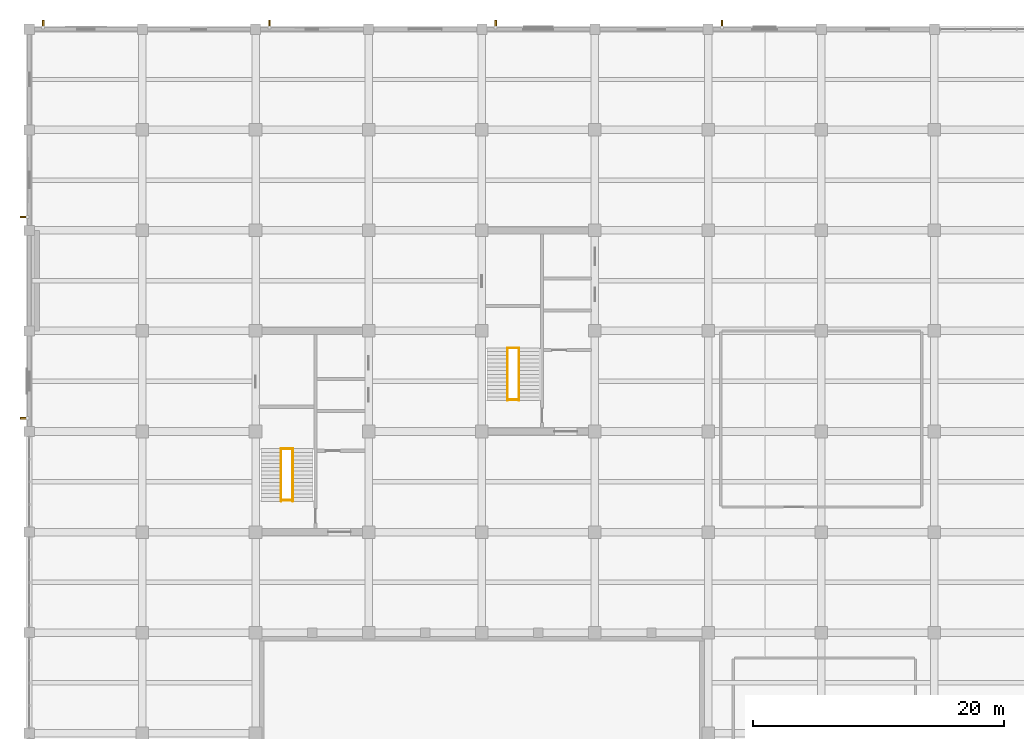
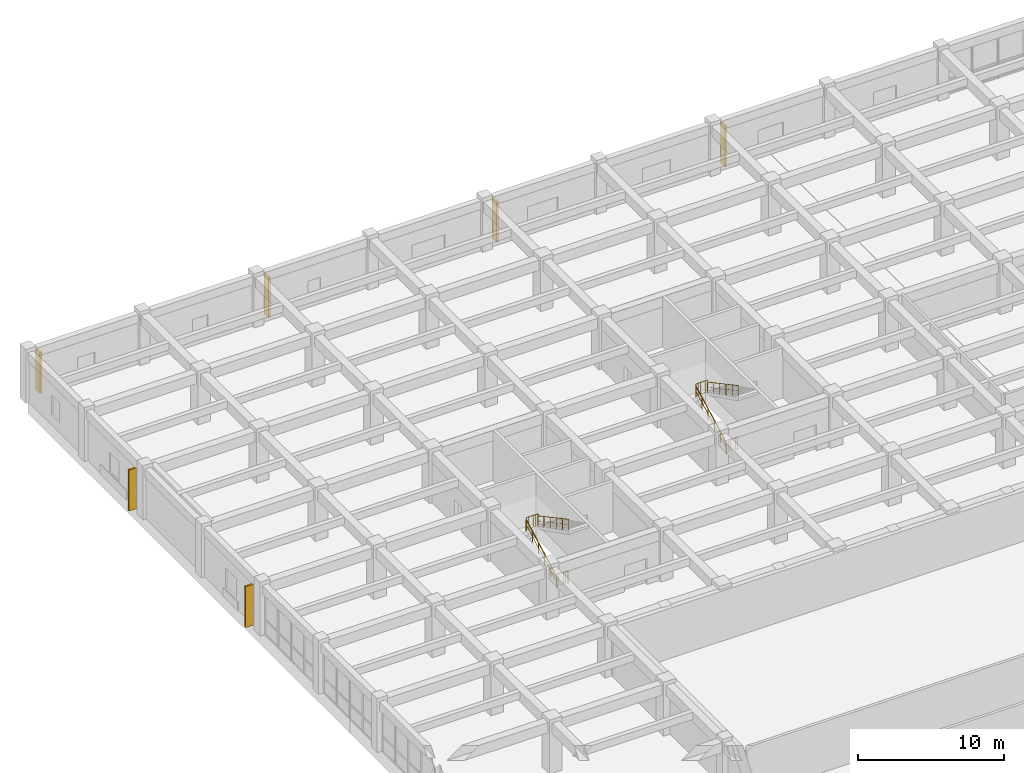
# One storey, part 46 of 50: 8 railings, 6 shading devices.
"""IFC4 building model written with IfcOpenShell, lengths in metres."""

from ifc_helpers import new_model, si_unit, direction, frame, frame_2d, origin, origin_2d, place, context, subcontext, project, spatial, rectangle, circle, extrude, material, layer, layer_set, type_object, element, save


model = new_model("IFC4")

# Units and contexts
model_context = context("Model", 3, precision=1e-05, world=origin(), true_north=direction((0.0, 1.0)))
body_context = subcontext(model_context, "Body", "Model", "MODEL_VIEW")
ifc_project = project(units=[si_unit("LENGTHUNIT", "METRE"), si_unit("AREAUNIT", "SQUARE_METRE"), si_unit("VOLUMEUNIT", "CUBIC_METRE"), si_unit("PLANEANGLEUNIT", "RADIAN"), si_unit("MASSUNIT", "GRAM", prefix="KILO")], contexts=[model_context])

# Site, building, storey
site_placement = place(None, origin())
site = spatial("IfcSite", under=ifc_project, at=site_placement, CompositionType="ELEMENT")
building_placement = place(site_placement, origin())
building = spatial("IfcBuilding", under=site, at=building_placement, Name="Zaverband Oceanarium and Marine Research Institute", CompositionType="ELEMENT")
storey_placement = place(building_placement, frame((0.0, 0.0, 4.5)))
storey = spatial("IfcBuildingStorey", under=building, at=storey_placement, Name="L01", CompositionType="ELEMENT", Elevation=4.5)

# Railings
ifc_material_1 = material(Name="Steel S355", Category="steel")
ifc_layer_1 = layer(ifc_material_1, 0.06005859375, Name="Steel S355")
ifc_layer_set_1 = layer_set([ifc_layer_1], Name="Steel S355")
railing_type_1 = type_object("IfcRailingType", Name="GRD-1100", PredefinedType="BALUSTRADE", material=ifc_layer_set_1)
for number, where, name in (
    (1, (20.0400390625, 86.6298828125, 2.25), "1100 mm steel post-and-baluster safety guard GRD-1100"),
    (2, (20.0400390625, 82.530029296875, 0.0), "1100 mm steel post-and-baluster safety guard GRD-1100"),
    (3, (38.0400390625, 94.6298828125, 2.25), "1100 mm steel post-and-baluster safety guard GRD-1100"),
    (4, (38.0400390625, 90.530029296875, 0.0), "1100 mm steel post-and-baluster safety guard GRD-1100"),
):
    element("IfcRailing", number, at=place(storey_placement, frame(where)), inside=storey, type_object=railing_type_1, Name=name, PredefinedType="BALUSTRADE", context=body_context, shape_type="SweptSolid", body=[
        extrude(circle(Radius=0.02392578125, at=origin_2d()), frame((0.0, 0.0, 1.076171875), z_axis=(1.0, 0.0, 0.0), x_axis=(0.0, 1.0, 0.0)), (0.0, 0.0, 1.0), 0.919921875),
        extrude(circle(Radius=0.009033203125, at=origin_2d()), frame((0.0, 0.0, 0.10009765625), z_axis=(1.0, 0.0, 0.0), x_axis=(0.0, 1.0, 0.0)), (0.0, 0.0, 1.0), 0.919921875),
        extrude(circle(Radius=0.009033203125, at=origin_2d()), frame((0.18408203125, 0.0, 0.10009765625)), (0.0, 0.0, 1.0), 0.951904296875),
        extrude(circle(Radius=0.009033203125, at=origin_2d()), frame((0.367919921875, 0.0, 0.10009765625)), (0.0, 0.0, 1.0), 0.951904296875),
        extrude(circle(Radius=0.009033203125, at=origin_2d()), frame((0.552001953125, 0.0, 0.10009765625)), (0.0, 0.0, 1.0), 0.951904296875),
        extrude(circle(Radius=0.009033203125, at=origin_2d()), frame((0.73583984375, 0.0, 0.10009765625)), (0.0, 0.0, 1.0), 0.951904296875),
        extrude(circle(Radius=0.02099609375, at=origin_2d()), origin(), (0.0, 0.0, 1.0), 1.052001953125),
        extrude(circle(Radius=0.02099609375, at=origin_2d()), frame((0.919921875, 0.0, 0.0)), (0.0, 0.0, 1.0), 1.052001953125),
    ])
ifc_layer_2 = layer(ifc_material_1, 0.050048828125, Name="Steel S355")
ifc_layer_set_2 = layer_set([ifc_layer_2], Name="Steel S355")
railing_type_2 = type_object("IfcRailingType", Name="HR-920", PredefinedType="HANDRAIL", material=ifc_layer_set_2)
railing_1_placement = place(storey_placement, frame((20.0400390625, 82.449951171875, 0.0)))
element("IfcRailing", 5, at=railing_1_placement, inside=storey, type_object=railing_type_2, Name="920 mm continuous tubular stair and ramp handrail HR-920", PredefinedType="HANDRAIL", context=body_context, shape_type="SweptSolid", body=[
    extrude(circle(Radius=0.02392578125, at=origin_2d()), frame((0.0, 0.0, 0.89599609375), z_axis=(0.0, 0.881477684796, 0.472225678258), x_axis=(-1.0, 0.0, 0.0)), (0.0, 0.0, 1.0), 4.7646484375),
    extrude(circle(Radius=0.009033203125, at=origin_2d()), frame((0.0, 0.0, 0.4599609375), z_axis=(0.0, 0.881477684796, 0.472225678258), x_axis=(-1.0, 0.0, 0.0)), (0.0, 0.0, 1.0), 4.7646484375),
    extrude(circle(Radius=0.02099609375, at=origin_2d()), origin(), (0.0, 0.0, 1.0), 0.871826171875),
    extrude(circle(Radius=0.02099609375, at=origin_2d()), frame((0.0, 0.840087890625, 0.449951171875)), (0.0, 0.0, 1.0), 0.871826171875),
    extrude(circle(Radius=0.02099609375, at=origin_2d()), frame((0.0, 1.679931640625, 0.89990234375)), (0.0, 0.0, 1.0), 0.871826171875),
    extrude(circle(Radius=0.02099609375, at=origin_2d()), frame((0.0, 2.52001953125, 1.35009765625)), (0.0, 0.0, 1.0), 0.871826171875),
    extrude(circle(Radius=0.02099609375, at=origin_2d()), frame((0.0, 3.35986328125, 1.800048828125)), (0.0, 0.0, 1.0), 0.871826171875),
    extrude(circle(Radius=0.02099609375, at=origin_2d()), frame((0.0, 4.199951171875, 2.25)), (0.0, 0.0, 1.0), 0.871826171875),
])
railing_2_placement = place(storey_placement, frame((20.9599609375, 86.64990234375, 2.25)))
element("IfcRailing", 6, at=railing_2_placement, inside=storey, type_object=railing_type_2, Name="920 mm continuous tubular stair and ramp handrail HR-920", PredefinedType="HANDRAIL", context=body_context, shape_type="SweptSolid", body=[
    extrude(circle(Radius=0.02392578125, at=origin_2d()), frame((0.0, 0.0, 0.89599609375), z_axis=(0.0, -0.881477684796, 0.472225678258), x_axis=(1.0, 0.0, 0.0)), (0.0, 0.0, 1.0), 4.7646484375),
    extrude(circle(Radius=0.009033203125, at=origin_2d()), frame((0.0, 0.0, 0.4599609375), z_axis=(0.0, -0.881477684796, 0.472225678258), x_axis=(1.0, 0.0, 0.0)), (0.0, 0.0, 1.0), 4.7646484375),
    extrude(circle(Radius=0.02099609375, at=origin_2d()), origin(), (0.0, 0.0, 1.0), 0.871826171875),
    extrude(circle(Radius=0.02099609375, at=origin_2d()), frame((0.0, -0.840087890625, 0.449951171875)), (0.0, 0.0, 1.0), 0.871826171875),
    extrude(circle(Radius=0.02099609375, at=origin_2d()), frame((0.0, -1.679931640625, 0.89990234375)), (0.0, 0.0, 1.0), 0.871826171875),
    extrude(circle(Radius=0.02099609375, at=origin_2d()), frame((0.0, -2.52001953125, 1.35009765625)), (0.0, 0.0, 1.0), 0.871826171875),
    extrude(circle(Radius=0.02099609375, at=origin_2d()), frame((0.0, -3.35986328125, 1.800048828125)), (0.0, 0.0, 1.0), 0.871826171875),
    extrude(circle(Radius=0.02099609375, at=origin_2d()), frame((0.0, -4.199951171875, 2.25)), (0.0, 0.0, 1.0), 0.871826171875),
])
railing_3_placement = place(storey_placement, frame((38.0400390625, 90.449951171875, 0.0)))
element("IfcRailing", 7, at=railing_3_placement, inside=storey, type_object=railing_type_2, Name="920 mm continuous tubular stair and ramp handrail HR-920", PredefinedType="HANDRAIL", context=body_context, shape_type="SweptSolid", body=[
    extrude(circle(Radius=0.02392578125, at=origin_2d()), frame((0.0, 0.0, 0.89599609375), z_axis=(0.0, 0.881477684796, 0.472225678258), x_axis=(-1.0, 0.0, 0.0)), (0.0, 0.0, 1.0), 4.7646484375),
    extrude(circle(Radius=0.009033203125, at=origin_2d()), frame((0.0, 0.0, 0.4599609375), z_axis=(0.0, 0.881477684796, 0.472225678258), x_axis=(-1.0, 0.0, 0.0)), (0.0, 0.0, 1.0), 4.7646484375),
    extrude(circle(Radius=0.02099609375, at=origin_2d()), origin(), (0.0, 0.0, 1.0), 0.871826171875),
    extrude(circle(Radius=0.02099609375, at=origin_2d()), frame((0.0, 0.840087890625, 0.449951171875)), (0.0, 0.0, 1.0), 0.871826171875),
    extrude(circle(Radius=0.02099609375, at=origin_2d()), frame((0.0, 1.679931640625, 0.89990234375)), (0.0, 0.0, 1.0), 0.871826171875),
    extrude(circle(Radius=0.02099609375, at=origin_2d()), frame((0.0, 2.52001953125, 1.35009765625)), (0.0, 0.0, 1.0), 0.871826171875),
    extrude(circle(Radius=0.02099609375, at=origin_2d()), frame((0.0, 3.35986328125, 1.800048828125)), (0.0, 0.0, 1.0), 0.871826171875),
    extrude(circle(Radius=0.02099609375, at=origin_2d()), frame((0.0, 4.199951171875, 2.25)), (0.0, 0.0, 1.0), 0.871826171875),
])
railing_4_placement = place(storey_placement, frame((38.9599609375, 94.64990234375, 2.25)))
element("IfcRailing", 8, at=railing_4_placement, inside=storey, type_object=railing_type_2, Name="920 mm continuous tubular stair and ramp handrail HR-920", PredefinedType="HANDRAIL", context=body_context, shape_type="SweptSolid", body=[
    extrude(circle(Radius=0.02392578125, at=origin_2d()), frame((0.0, 0.0, 0.89599609375), z_axis=(0.0, -0.881477684796, 0.472225678258), x_axis=(1.0, 0.0, 0.0)), (0.0, 0.0, 1.0), 4.7646484375),
    extrude(circle(Radius=0.009033203125, at=origin_2d()), frame((0.0, 0.0, 0.4599609375), z_axis=(0.0, -0.881477684796, 0.472225678258), x_axis=(1.0, 0.0, 0.0)), (0.0, 0.0, 1.0), 4.7646484375),
    extrude(circle(Radius=0.02099609375, at=origin_2d()), origin(), (0.0, 0.0, 1.0), 0.871826171875),
    extrude(circle(Radius=0.02099609375, at=origin_2d()), frame((0.0, -0.840087890625, 0.449951171875)), (0.0, 0.0, 1.0), 0.871826171875),
    extrude(circle(Radius=0.02099609375, at=origin_2d()), frame((0.0, -1.679931640625, 0.89990234375)), (0.0, 0.0, 1.0), 0.871826171875),
    extrude(circle(Radius=0.02099609375, at=origin_2d()), frame((0.0, -2.52001953125, 1.35009765625)), (0.0, 0.0, 1.0), 0.871826171875),
    extrude(circle(Radius=0.02099609375, at=origin_2d()), frame((0.0, -3.35986328125, 1.800048828125)), (0.0, 0.0, 1.0), 0.871826171875),
    extrude(circle(Radius=0.02099609375, at=origin_2d()), frame((0.0, -4.199951171875, 2.25)), (0.0, 0.0, 1.0), 0.871826171875),
])

# Shading devices
ifc_material_2 = material(Name="Concrete C40/50 precast brise-soleil", Category="concrete")
ifc_layer_3 = layer(ifc_material_2, 0.139892578125, Name="Concrete C40/50 precast brise-soleil")
ifc_layer_set_3 = layer_set([ifc_layer_3], Name="Concrete C40/50 precast brise-soleil")
shading_device_type = type_object("IfcShadingDeviceType", Name="SHD-FIN-600", PredefinedType="JALOUSIE", material=ifc_layer_set_3)
shading_device_1_placement = place(storey_placement, frame((1.10498046875, 120.135009765625, 0.0), z_axis=(0.0, 0.0, 1.0), x_axis=(0.0, 1.0, 0.0)))
element("IfcShadingDevice", 9, at=shading_device_1_placement, inside=storey, type_object=shading_device_type, Name="600 mm vertical precast brise-soleil fin SHD-FIN-600", PredefinedType="JALOUSIE", context=body_context, shape_type="SweptSolid", body=[
    extrude(rectangle(XDim=0.60009765625, YDim=0.139892578125, at=frame_2d((0.300048828125, 0.0))), origin(), (0.0, 0.0, 1.0), 3.409912109375),
])
shading_device_2_placement = place(storey_placement, frame((19.10498046875, 120.112548828125, 0.0), z_axis=(0.0, 0.0, 1.0), x_axis=(0.0, 1.0, 0.0)))
element("IfcShadingDevice", 10, at=shading_device_2_placement, inside=storey, type_object=shading_device_type, Name="600 mm vertical precast brise-soleil fin SHD-FIN-600", PredefinedType="JALOUSIE", context=body_context, shape_type="SweptSolid", body=[
    extrude(rectangle(XDim=0.599853515625, YDim=0.139892578125, at=frame_2d((0.2998046875, 0.0))), origin(), (0.0, 0.0, 1.0), 3.409912109375),
])
shading_device_3_placement = place(storey_placement, frame((37.10498046875, 120.135009765625, 0.0), z_axis=(0.0, 0.0, 1.0), x_axis=(0.0, 1.0, 0.0)))
element("IfcShadingDevice", 11, at=shading_device_3_placement, inside=storey, type_object=shading_device_type, Name="600 mm vertical precast brise-soleil fin SHD-FIN-600", PredefinedType="JALOUSIE", context=body_context, shape_type="SweptSolid", body=[
    extrude(rectangle(XDim=0.60009765625, YDim=0.139892578125, at=frame_2d((0.300048828125, 0.0))), origin(), (0.0, 0.0, 1.0), 3.409912109375),
])
shading_device_4_placement = place(storey_placement, frame((55.10498046875, 120.112548828125, 0.0), z_axis=(0.0, 0.0, 1.0), x_axis=(0.0, 1.0, 0.0)))
element("IfcShadingDevice", 12, at=shading_device_4_placement, inside=storey, type_object=shading_device_type, Name="600 mm vertical precast brise-soleil fin SHD-FIN-600", PredefinedType="JALOUSIE", context=body_context, shape_type="SweptSolid", body=[
    extrude(rectangle(XDim=0.599853515625, YDim=0.139892578125, at=frame_2d((0.2998046875, 0.0))), origin(), (0.0, 0.0, 1.0), 3.409912109375),
])
shading_device_5_placement = place(storey_placement, frame((-0.135009765625, 89.054931640625, 0.0), z_axis=(0.0, 0.0, 1.0), x_axis=(-1.0, 0.0, 0.0)))
element("IfcShadingDevice", 13, at=shading_device_5_placement, inside=storey, type_object=shading_device_type, Name="600 mm vertical precast brise-soleil fin SHD-FIN-600", PredefinedType="JALOUSIE", context=body_context, shape_type="SweptSolid", body=[
    extrude(rectangle(XDim=0.60009765625, YDim=0.139892578125, at=frame_2d((0.300048828125, 0.0))), origin(), (0.0, 0.0, 1.0), 3.409912109375),
])
shading_device_6_placement = place(storey_placement, frame((-0.112548828125, 105.054931640625, 0.0), z_axis=(0.0, 0.0, 1.0), x_axis=(-1.0, 0.0, 0.0)))
element("IfcShadingDevice", 14, at=shading_device_6_placement, inside=storey, type_object=shading_device_type, Name="600 mm vertical precast brise-soleil fin SHD-FIN-600", PredefinedType="JALOUSIE", context=body_context, shape_type="SweptSolid", body=[
    extrude(rectangle(XDim=0.599853515625, YDim=0.139892578125, at=frame_2d((0.2998046875, 0.0))), origin(), (0.0, 0.0, 1.0), 3.409912109375),
])

save(model, "model.ifc")
